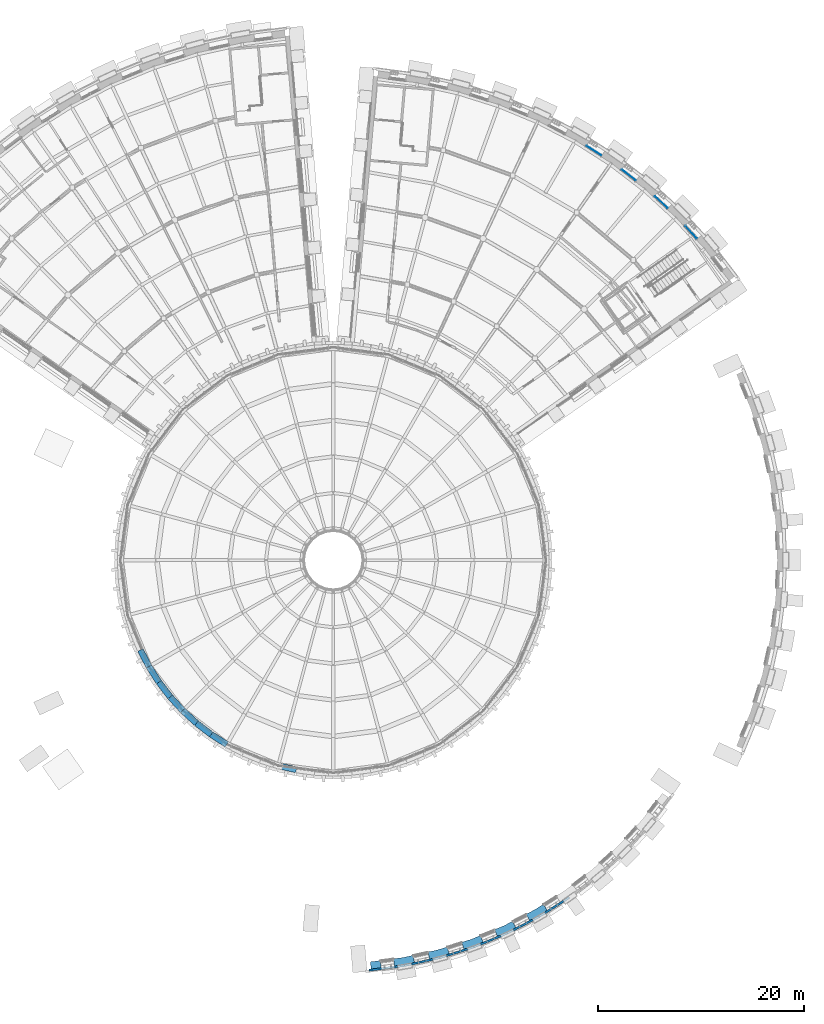
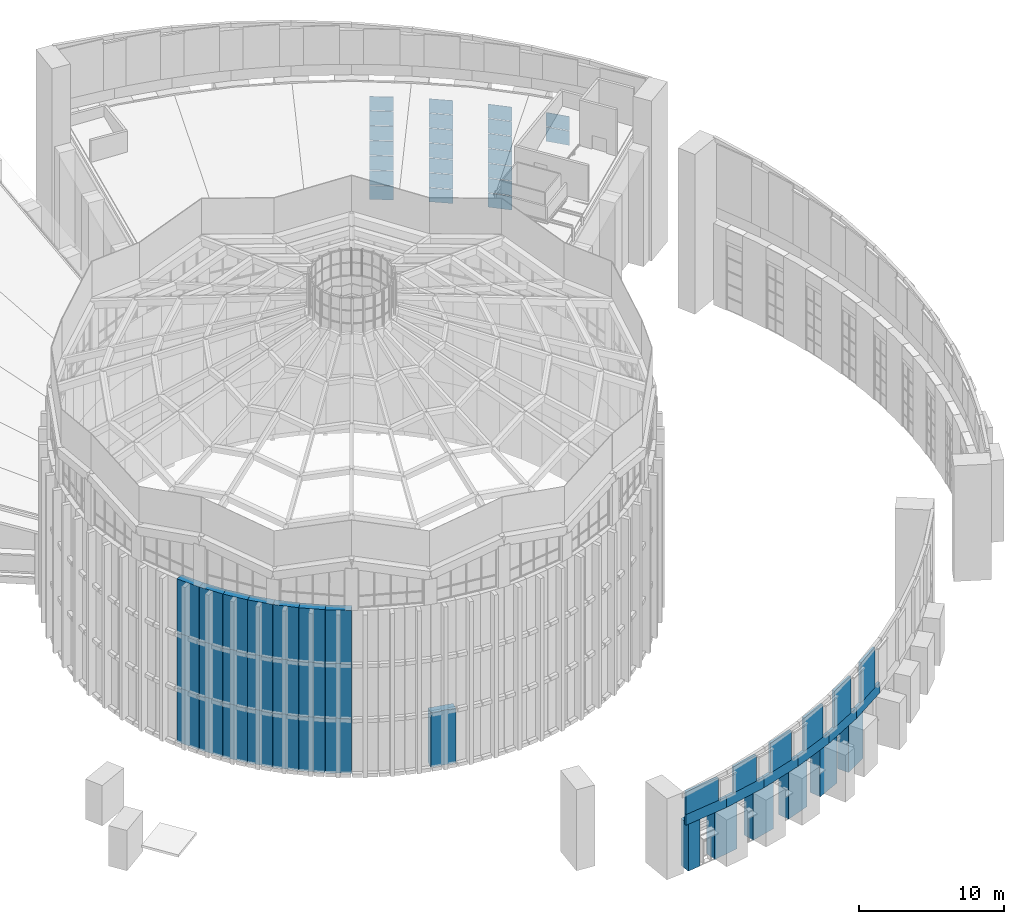
# One storey, part 51 of 82: 40 walls, 23 plates, 4 elements without a shape of their own.
"""IFC4 building model written with IfcOpenShell, lengths in metres."""

from ifc_helpers import new_model, si_unit, direction, frame, frame_2d, origin, origin_2d, place, context, subcontext, project, spatial, polyline, rectangle, outline, extrude, material, layer, layer_set, type_object, element, aggregate, save


model = new_model("IFC4")

# Units and contexts
model_context = context("Model", 3, precision=1e-05, world=origin(), true_north=direction((0.0, 1.0)))
body_context = subcontext(model_context, "Body", "Model", "MODEL_VIEW")
ifc_project = project(units=[si_unit("LENGTHUNIT", "METRE"), si_unit("AREAUNIT", "SQUARE_METRE"), si_unit("VOLUMEUNIT", "CUBIC_METRE"), si_unit("PLANEANGLEUNIT", "RADIAN"), si_unit("MASSUNIT", "GRAM", prefix="KILO")], contexts=[model_context])

# Site, building, storey
site_placement = place(None, origin())
site = spatial("IfcSite", under=ifc_project, at=site_placement, CompositionType="ELEMENT")
building_placement = place(site_placement, origin())
building = spatial("IfcBuilding", under=site, at=building_placement, Name="Volute Hill Aquarium", CompositionType="ELEMENT")
storey_placement = place(building_placement, frame((0.0, 0.0, 13.800048828125)))
storey = spatial("IfcBuildingStorey", under=building, at=storey_placement, Name="L04", CompositionType="ELEMENT", Elevation=13.800048828125)

# Curtain wall, plates
ifc_material_1 = material(Name="Aluminium", Category="aluminium")
ifc_layer_1 = layer(ifc_material_1, 0.25)
ifc_layer_set_1 = layer_set([ifc_layer_1], Name="Curtain wall niche S5 module 1786")
curtain_wall_type = type_object("IfcCurtainWallType", Name="Curtain wall niche S5 module 1786", PredefinedType="NOTDEFINED", material=ifc_layer_set_1)
curtain_wall_1_placement = place(storey_placement, origin())
curtain_wall_1 = element("IfcCurtainWall", 1, at=curtain_wall_1_placement, inside=storey, type_object=curtain_wall_type, Name="Curtain wall CW S5 L04 2", PredefinedType="NOTDEFINED")
ifc_material_2 = material(Name="Glass, low-iron laminated", Category="glass")
ifc_layer_2 = layer(ifc_material_2, 0.0439453125)
ifc_layer_set_2 = layer_set([ifc_layer_2], Name="Curtain wall glass panel S5 44")
plate_type = type_object("IfcPlateType", Name="Curtain wall glass panel S5 44", PredefinedType="CURTAIN_PANEL", material=ifc_layer_set_2)
plate_1_placement = place(storey_placement, frame((34.8212890625, 31.907958984375, 6.74853515625), z_axis=(0.0, 0.0, 1.0), x_axis=(-0.675584631529, 0.737282446313, 0.0)))
plate_1 = element("IfcPlate", 2, at=plate_1_placement, type_object=plate_type, Name="CW panel 1.6", PredefinedType="CURTAIN_PANEL", context=body_context, shape_type="SweptSolid", body=[
    extrude(rectangle(XDim=1.66552734375, YDim=0.0439453125, at=origin_2d()), origin(), (0.0, 0.0, 1.0), 1.193603515625),
])
plate_2_placement = place(storey_placement, frame((34.8212890625, 31.907958984375, 8.001953125), z_axis=(0.0, 0.0, 1.0), x_axis=(-0.675584631529, 0.737282446313, 0.0)))
plate_2 = element("IfcPlate", 3, at=plate_2_placement, type_object=plate_type, Name="CW panel 1.7", PredefinedType="CURTAIN_PANEL", context=body_context, shape_type="SweptSolid", body=[
    extrude(rectangle(XDim=1.66552734375, YDim=0.0439453125, at=origin_2d()), origin(), (0.0, 0.0, 1.0), 1.163818359375),
])
aggregate(curtain_wall_1, [plate_1, plate_2])

curtain_wall_2_placement = place(storey_placement, origin())
curtain_wall_2 = element("IfcCurtainWall", 4, at=curtain_wall_2_placement, inside=storey, type_object=curtain_wall_type, Name="Curtain wall CW S5 L04 3", PredefinedType="NOTDEFINED")
plate_3_placement = place(storey_placement, frame((31.907958984375, 34.821533203125, 0.509765625), z_axis=(0.0, 0.0, 1.0), x_axis=(-0.737282446313, 0.675584631529, 0.0)))
plate_3 = element("IfcPlate", 5, at=plate_3_placement, type_object=plate_type, Name="CW panel 1.1", PredefinedType="CURTAIN_PANEL", context=body_context, shape_type="SweptSolid", body=[
    extrude(rectangle(XDim=1.66552734375, YDim=0.0439453125, at=origin_2d()), origin(), (0.0, 0.0, 1.0), 1.163818359375),
])
plate_4_placement = place(storey_placement, frame((31.907958984375, 34.821533203125, 1.73388671875), z_axis=(0.0, 0.0, 1.0), x_axis=(-0.737282446313, 0.675584631529, 0.0)))
plate_4 = element("IfcPlate", 6, at=plate_4_placement, type_object=plate_type, Name="CW panel 1.2", PredefinedType="CURTAIN_PANEL", context=body_context, shape_type="SweptSolid", body=[
    extrude(rectangle(XDim=1.66552734375, YDim=0.0439453125, at=origin_2d()), origin(), (0.0, 0.0, 1.0), 1.193603515625),
])
plate_5_placement = place(storey_placement, frame((31.907958984375, 34.821533203125, 2.9873046875), z_axis=(0.0, 0.0, 1.0), x_axis=(-0.737282446313, 0.675584631529, 0.0)))
plate_5 = element("IfcPlate", 7, at=plate_5_placement, type_object=plate_type, Name="CW panel 1.3", PredefinedType="CURTAIN_PANEL", context=body_context, shape_type="SweptSolid", body=[
    extrude(rectangle(XDim=1.66552734375, YDim=0.0439453125, at=origin_2d()), origin(), (0.0, 0.0, 1.0), 1.193603515625),
])
plate_6_placement = place(storey_placement, frame((31.907958984375, 34.821533203125, 4.2412109375), z_axis=(0.0, 0.0, 1.0), x_axis=(-0.737282446313, 0.675584631529, 0.0)))
plate_6 = element("IfcPlate", 8, at=plate_6_placement, type_object=plate_type, Name="CW panel 1.4", PredefinedType="CURTAIN_PANEL", context=body_context, shape_type="SweptSolid", body=[
    extrude(rectangle(XDim=1.66552734375, YDim=0.0439453125, at=origin_2d()), origin(), (0.0, 0.0, 1.0), 1.193603515625),
])
plate_7_placement = place(storey_placement, frame((31.907958984375, 34.821533203125, 5.49462890625), z_axis=(0.0, 0.0, 1.0), x_axis=(-0.737282446313, 0.675584631529, 0.0)))
plate_7 = element("IfcPlate", 9, at=plate_7_placement, type_object=plate_type, Name="CW panel 1.5", PredefinedType="CURTAIN_PANEL", context=body_context, shape_type="SweptSolid", body=[
    extrude(rectangle(XDim=1.66552734375, YDim=0.0439453125, at=origin_2d()), origin(), (0.0, 0.0, 1.0), 1.193603515625),
])
plate_8_placement = place(storey_placement, frame((31.907958984375, 34.821533203125, 6.74853515625), z_axis=(0.0, 0.0, 1.0), x_axis=(-0.737282446313, 0.675584631529, 0.0)))
plate_8 = element("IfcPlate", 10, at=plate_8_placement, type_object=plate_type, Name="CW panel 1.6", PredefinedType="CURTAIN_PANEL", context=body_context, shape_type="SweptSolid", body=[
    extrude(rectangle(XDim=1.66552734375, YDim=0.0439453125, at=origin_2d()), origin(), (0.0, 0.0, 1.0), 1.193603515625),
])
plate_9_placement = place(storey_placement, frame((31.907958984375, 34.821533203125, 8.001953125), z_axis=(0.0, 0.0, 1.0), x_axis=(-0.737282446313, 0.675584631529, 0.0)))
plate_9 = element("IfcPlate", 11, at=plate_9_placement, type_object=plate_type, Name="CW panel 1.7", PredefinedType="CURTAIN_PANEL", context=body_context, shape_type="SweptSolid", body=[
    extrude(rectangle(XDim=1.66552734375, YDim=0.0439453125, at=origin_2d()), origin(), (0.0, 0.0, 1.0), 1.163818359375),
])
aggregate(curtain_wall_2, [plate_3, plate_4, plate_5, plate_6, plate_7, plate_8, plate_9])

curtain_wall_3_placement = place(storey_placement, origin())
curtain_wall_3 = element("IfcCurtainWall", 12, at=curtain_wall_3_placement, inside=storey, type_object=curtain_wall_type, Name="Curtain wall CW S5 L04 4", PredefinedType="NOTDEFINED")
plate_10_placement = place(storey_placement, frame((28.751708984375, 37.4697265625, 0.509765625), z_axis=(0.0, 0.0, 1.0), x_axis=(-0.793358325379, 0.608754932261, 0.0)))
plate_10 = element("IfcPlate", 13, at=plate_10_placement, type_object=plate_type, Name="CW panel 1.1", PredefinedType="CURTAIN_PANEL", context=body_context, shape_type="SweptSolid", body=[
    extrude(rectangle(XDim=1.66552734375, YDim=0.0439453125, at=origin_2d()), origin(), (0.0, 0.0, 1.0), 1.163818359375),
])
plate_11_placement = place(storey_placement, frame((28.751708984375, 37.4697265625, 1.73388671875), z_axis=(0.0, 0.0, 1.0), x_axis=(-0.793358325379, 0.608754932261, 0.0)))
plate_11 = element("IfcPlate", 14, at=plate_11_placement, type_object=plate_type, Name="CW panel 1.2", PredefinedType="CURTAIN_PANEL", context=body_context, shape_type="SweptSolid", body=[
    extrude(rectangle(XDim=1.66552734375, YDim=0.0439453125, at=origin_2d()), origin(), (0.0, 0.0, 1.0), 1.193603515625),
])
plate_12_placement = place(storey_placement, frame((28.751708984375, 37.4697265625, 2.9873046875), z_axis=(0.0, 0.0, 1.0), x_axis=(-0.793358325379, 0.608754932261, 0.0)))
plate_12 = element("IfcPlate", 15, at=plate_12_placement, type_object=plate_type, Name="CW panel 1.3", PredefinedType="CURTAIN_PANEL", context=body_context, shape_type="SweptSolid", body=[
    extrude(rectangle(XDim=1.66552734375, YDim=0.0439453125, at=origin_2d()), origin(), (0.0, 0.0, 1.0), 1.193603515625),
])
plate_13_placement = place(storey_placement, frame((28.751708984375, 37.4697265625, 4.2412109375), z_axis=(0.0, 0.0, 1.0), x_axis=(-0.793358325379, 0.608754932261, 0.0)))
plate_13 = element("IfcPlate", 16, at=plate_13_placement, type_object=plate_type, Name="CW panel 1.4", PredefinedType="CURTAIN_PANEL", context=body_context, shape_type="SweptSolid", body=[
    extrude(rectangle(XDim=1.66552734375, YDim=0.0439453125, at=origin_2d()), origin(), (0.0, 0.0, 1.0), 1.193603515625),
])
plate_14_placement = place(storey_placement, frame((28.751708984375, 37.4697265625, 5.49462890625), z_axis=(0.0, 0.0, 1.0), x_axis=(-0.793358325379, 0.608754932261, 0.0)))
plate_14 = element("IfcPlate", 17, at=plate_14_placement, type_object=plate_type, Name="CW panel 1.5", PredefinedType="CURTAIN_PANEL", context=body_context, shape_type="SweptSolid", body=[
    extrude(rectangle(XDim=1.66552734375, YDim=0.0439453125, at=origin_2d()), origin(), (0.0, 0.0, 1.0), 1.193603515625),
])
plate_15_placement = place(storey_placement, frame((28.751708984375, 37.4697265625, 6.74853515625), z_axis=(0.0, 0.0, 1.0), x_axis=(-0.793358325379, 0.608754932261, 0.0)))
plate_15 = element("IfcPlate", 18, at=plate_15_placement, type_object=plate_type, Name="CW panel 1.6", PredefinedType="CURTAIN_PANEL", context=body_context, shape_type="SweptSolid", body=[
    extrude(rectangle(XDim=1.66552734375, YDim=0.0439453125, at=origin_2d()), origin(), (0.0, 0.0, 1.0), 1.193603515625),
])
plate_16_placement = place(storey_placement, frame((28.751708984375, 37.4697265625, 8.001953125), z_axis=(0.0, 0.0, 1.0), x_axis=(-0.793358325379, 0.608754932261, 0.0)))
plate_16 = element("IfcPlate", 19, at=plate_16_placement, type_object=plate_type, Name="CW panel 1.7", PredefinedType="CURTAIN_PANEL", context=body_context, shape_type="SweptSolid", body=[
    extrude(rectangle(XDim=1.66552734375, YDim=0.0439453125, at=origin_2d()), origin(), (0.0, 0.0, 1.0), 1.163818359375),
])
aggregate(curtain_wall_3, [plate_10, plate_11, plate_12, plate_13, plate_14, plate_15, plate_16])

curtain_wall_4_placement = place(storey_placement, origin())
curtain_wall_4 = element("IfcCurtainWall", 20, at=curtain_wall_4_placement, inside=storey, type_object=curtain_wall_type, Name="Curtain wall CW S5 L04 5", PredefinedType="NOTDEFINED")
plate_17_placement = place(storey_placement, frame((25.37646484375, 39.8330078125, 0.509765625), z_axis=(0.0, 0.0, 1.0), x_axis=(-0.843385119444, 0.537309538629, 0.0)))
plate_17 = element("IfcPlate", 21, at=plate_17_placement, type_object=plate_type, Name="CW panel 1.1", PredefinedType="CURTAIN_PANEL", context=body_context, shape_type="SweptSolid", body=[
    extrude(rectangle(XDim=1.66552734375, YDim=0.0439453125, at=origin_2d()), origin(), (0.0, 0.0, 1.0), 1.163818359375),
])
plate_18_placement = place(storey_placement, frame((25.37646484375, 39.8330078125, 1.73388671875), z_axis=(0.0, 0.0, 1.0), x_axis=(-0.843385119444, 0.537309538629, 0.0)))
plate_18 = element("IfcPlate", 22, at=plate_18_placement, type_object=plate_type, Name="CW panel 1.2", PredefinedType="CURTAIN_PANEL", context=body_context, shape_type="SweptSolid", body=[
    extrude(rectangle(XDim=1.66552734375, YDim=0.0439453125, at=origin_2d()), origin(), (0.0, 0.0, 1.0), 1.193603515625),
])
plate_19_placement = place(storey_placement, frame((25.37646484375, 39.8330078125, 2.9873046875), z_axis=(0.0, 0.0, 1.0), x_axis=(-0.843385119444, 0.537309538629, 0.0)))
plate_19 = element("IfcPlate", 23, at=plate_19_placement, type_object=plate_type, Name="CW panel 1.3", PredefinedType="CURTAIN_PANEL", context=body_context, shape_type="SweptSolid", body=[
    extrude(rectangle(XDim=1.66552734375, YDim=0.0439453125, at=origin_2d()), origin(), (0.0, 0.0, 1.0), 1.193603515625),
])
plate_20_placement = place(storey_placement, frame((25.37646484375, 39.8330078125, 4.2412109375), z_axis=(0.0, 0.0, 1.0), x_axis=(-0.843385119444, 0.537309538629, 0.0)))
plate_20 = element("IfcPlate", 24, at=plate_20_placement, type_object=plate_type, Name="CW panel 1.4", PredefinedType="CURTAIN_PANEL", context=body_context, shape_type="SweptSolid", body=[
    extrude(rectangle(XDim=1.66552734375, YDim=0.0439453125, at=origin_2d()), origin(), (0.0, 0.0, 1.0), 1.193603515625),
])
plate_21_placement = place(storey_placement, frame((25.37646484375, 39.8330078125, 5.49462890625), z_axis=(0.0, 0.0, 1.0), x_axis=(-0.843385119444, 0.537309538629, 0.0)))
plate_21 = element("IfcPlate", 25, at=plate_21_placement, type_object=plate_type, Name="CW panel 1.5", PredefinedType="CURTAIN_PANEL", context=body_context, shape_type="SweptSolid", body=[
    extrude(rectangle(XDim=1.66552734375, YDim=0.0439453125, at=origin_2d()), origin(), (0.0, 0.0, 1.0), 1.193603515625),
])
plate_22_placement = place(storey_placement, frame((25.37646484375, 39.8330078125, 6.74853515625), z_axis=(0.0, 0.0, 1.0), x_axis=(-0.843385119444, 0.537309538629, 0.0)))
plate_22 = element("IfcPlate", 26, at=plate_22_placement, type_object=plate_type, Name="CW panel 1.6", PredefinedType="CURTAIN_PANEL", context=body_context, shape_type="SweptSolid", body=[
    extrude(rectangle(XDim=1.66552734375, YDim=0.0439453125, at=origin_2d()), origin(), (0.0, 0.0, 1.0), 1.193603515625),
])
plate_23_placement = place(storey_placement, frame((25.37646484375, 39.8330078125, 8.001953125), z_axis=(0.0, 0.0, 1.0), x_axis=(-0.843385119444, 0.537309538629, 0.0)))
plate_23 = element("IfcPlate", 27, at=plate_23_placement, type_object=plate_type, Name="CW panel 1.7", PredefinedType="CURTAIN_PANEL", context=body_context, shape_type="SweptSolid", body=[
    extrude(rectangle(XDim=1.66552734375, YDim=0.0439453125, at=origin_2d()), origin(), (0.0, 0.0, 1.0), 1.163818359375),
])
aggregate(curtain_wall_4, [plate_17, plate_18, plate_19, plate_20, plate_21, plate_22, plate_23])

# Walls
ifc_material_3 = material(Name="Precast concrete C40/50", Category="concrete")
ifc_layer_3 = layer(ifc_material_3, 0.199951171875)
ifc_layer_set_3 = layer_set([ifc_layer_3], Name="Crown screen wall precast concrete C40/50 200")
wall_type_1 = type_object("IfcWallType", Name="Crown screen wall precast concrete C40/50 200", PredefinedType="NOTDEFINED", material=ifc_layer_set_3)
wall_1_placement = place(storey_placement, frame((0.0, 0.0, 4.841796875)))
element("IfcWall", 28, at=wall_1_placement, inside=storey, type_object=wall_type_1, Name="Crown screen wall CSW S3 1", PredefinedType="NOTDEFINED", context=body_context, shape_type="SweptSolid", body=[
    extrude(outline(polyline([(3.499267578125, -39.99755859375), (6.286376953125, -39.630859375), (6.251708984375, -39.43359375), (3.48193359375, -39.798095703125), (3.499267578125, -39.99755859375)])), origin(), (0.0, 0.0, 1.0), 1.912109375),
])
wall_2_placement = place(storey_placement, frame((0.0, 0.0, 4.841796875)))
element("IfcWall", 29, at=wall_2_placement, inside=storey, type_object=wall_type_1, Name="Crown screen wall CSW S3 2", PredefinedType="NOTDEFINED", context=body_context, shape_type="SweptSolid", body=[
    extrude(outline(polyline([(7.647216796875, -39.390869140625), (9.716552734375, -38.93212890625), (9.664794921875, -38.73876953125), (7.612548828125, -39.193603515625), (7.647216796875, -39.390869140625)])), origin(), (0.0, 0.0, 1.0), 2.203857421875),
])
wall_3_placement = place(storey_placement, frame((0.0, 0.0, 4.841796875)))
element("IfcWall", 30, at=wall_3_placement, inside=storey, type_object=wall_type_1, Name="Crown screen wall CSW S3 3", PredefinedType="NOTDEFINED", context=body_context, shape_type="SweptSolid", body=[
    extrude(outline(polyline([(11.05126953125, -38.574462890625), (13.07275390625, -37.93701171875), (13.004150390625, -37.7490234375), (10.99951171875, -38.381103515625), (11.05126953125, -38.574462890625)])), origin(), (0.0, 0.0, 1.0), 2.495849609375),
])
wall_4_placement = place(storey_placement, frame((0.0, 0.0, 4.841796875)))
element("IfcWall", 31, at=wall_4_placement, inside=storey, type_object=wall_type_1, Name="Crown screen wall CSW S3 4", PredefinedType="NOTDEFINED", context=body_context, shape_type="SweptSolid", body=[
    extrude(outline(polyline([(14.37109375, -37.46435546875), (16.329345703125, -36.6533203125), (16.24462890625, -36.471923828125), (14.302734375, -37.2763671875), (14.37109375, -37.46435546875)])), origin(), (0.0, 0.0, 1.0), 2.787841796875),
])
wall_5_placement = place(storey_placement, frame((0.0, 0.0, 4.841796875)))
element("IfcWall", 32, at=wall_5_placement, inside=storey, type_object=wall_type_1, Name="Crown screen wall CSW S3 5", PredefinedType="NOTDEFINED", context=body_context, shape_type="SweptSolid", body=[
    extrude(outline(polyline([(17.581787109375, -36.0693359375), (19.461669921875, -35.090576171875), (19.361572265625, -34.917236328125), (17.4970703125, -35.887939453125), (17.581787109375, -36.0693359375)])), origin(), (0.0, 0.0, 1.0), 3.079833984375),
])
wall_6_placement = place(storey_placement, frame((0.0, 0.0, 4.841796875)))
element("IfcWall", 33, at=wall_6_placement, inside=storey, type_object=wall_type_1, Name="Crown screen wall CSW S3 6", PredefinedType="NOTDEFINED", context=body_context, shape_type="SweptSolid", body=[
    extrude(outline(polyline([(20.658447265625, -34.399658203125), (22.446044921875, -33.260986328125), (22.331298828125, -33.096923828125), (20.558349609375, -34.226318359375), (20.658447265625, -34.399658203125)])), origin(), (0.0, 0.0, 1.0), 3.37158203125),
])
ifc_material_4 = material(Name="Concrete C35/45", Category="concrete")
ifc_layer_4 = layer(ifc_material_4, 0.60009765625)
ifc_layer_set_4 = layer_set([ifc_layer_4], Name="Drum wall C35/45 600")
wall_type_2 = type_object("IfcWallType", Name="Drum wall C35/45 600", PredefinedType="SHEAR", material=ifc_layer_set_4)
wall_7_placement = place(storey_placement, frame((-18.760498046875, -8.748291015625, 0.0), z_axis=(0.0, 0.0, 1.0), x_axis=(0.461701764231, -0.887035219654, 0.0)))
element("IfcWall", 34, at=wall_7_placement, inside=storey, type_object=wall_type_2, Name="sw/DR/L04/41", PredefinedType="SHEAR", context=body_context, shape_type="SweptSolid", body=[
    extrude(rectangle(XDim=1.805908203125, YDim=0.60009765625, at=frame_2d((0.90283203125, 0.0))), origin(), (0.0, 0.0, 1.0), 4.599853515625),
])
wall_8_placement = place(storey_placement, frame((-18.760498046875, -8.748291015625, 4.599853515625), z_axis=(0.0, 0.0, 1.0), x_axis=(0.461701764231, -0.887035219654, 0.0)))
element("IfcWall", 35, at=wall_8_placement, inside=storey, type_object=wall_type_2, Name="sw/DR/L04/113", PredefinedType="SHEAR", context=body_context, shape_type="SweptSolid", body=[
    extrude(rectangle(XDim=1.805908203125, YDim=0.60009765625, at=frame_2d((0.90283203125, 0.0))), origin(), (0.0, 0.0, 1.0), 4.60009765625),
])
wall_9_placement = place(storey_placement, frame((-18.760498046875, -8.748291015625, 9.199951171875), z_axis=(0.0, 0.0, 1.0), x_axis=(0.461701764231, -0.887035219654, 0.0)))
element("IfcWall", 36, at=wall_9_placement, inside=storey, type_object=wall_type_2, Name="sw/DR/L04/185", PredefinedType="SHEAR", context=body_context, shape_type="SweptSolid", body=[
    extrude(rectangle(XDim=1.805908203125, YDim=0.60009765625, at=frame_2d((0.90283203125, 0.0))), origin(), (0.0, 0.0, 1.0), 4.5),
])
wall_10_placement = place(storey_placement, frame((-17.9267578125, -10.35009765625, 0.0), z_axis=(0.0, 0.0, 1.0), x_axis=(0.537391510251, -0.843332890803, 0.0)))
element("IfcWall", 37, at=wall_10_placement, inside=storey, type_object=wall_type_2, Name="sw/DR/L04/42", PredefinedType="SHEAR", context=body_context, shape_type="SweptSolid", body=[
    extrude(rectangle(XDim=1.805908203125, YDim=0.60009765625, at=frame_2d((0.90283203125, 0.0))), origin(), (0.0, 0.0, 1.0), 4.599853515625),
])
wall_11_placement = place(storey_placement, frame((-17.9267578125, -10.35009765625, 4.599853515625), z_axis=(0.0, 0.0, 1.0), x_axis=(0.537391510251, -0.843332890803, 0.0)))
element("IfcWall", 38, at=wall_11_placement, inside=storey, type_object=wall_type_2, Name="sw/DR/L04/114", PredefinedType="SHEAR", context=body_context, shape_type="SweptSolid", body=[
    extrude(rectangle(XDim=1.805908203125, YDim=0.60009765625, at=frame_2d((0.90283203125, 0.0))), origin(), (0.0, 0.0, 1.0), 4.60009765625),
])
wall_12_placement = place(storey_placement, frame((-17.9267578125, -10.35009765625, 9.199951171875), z_axis=(0.0, 0.0, 1.0), x_axis=(0.537391510251, -0.843332890803, 0.0)))
element("IfcWall", 39, at=wall_12_placement, inside=storey, type_object=wall_type_2, Name="sw/DR/L04/186", PredefinedType="SHEAR", context=body_context, shape_type="SweptSolid", body=[
    extrude(rectangle(XDim=1.805908203125, YDim=0.60009765625, at=frame_2d((0.90283203125, 0.0))), origin(), (0.0, 0.0, 1.0), 4.5),
])
wall_13_placement = place(storey_placement, frame((-16.956298828125, -11.873046875, 0.0), z_axis=(0.0, 0.0, 1.0), x_axis=(0.608704004289, -0.793397400526, 0.0)))
element("IfcWall", 40, at=wall_13_placement, inside=storey, type_object=wall_type_2, Name="sw/DR/L04/43", PredefinedType="SHEAR", context=body_context, shape_type="SweptSolid", body=[
    extrude(rectangle(XDim=1.8056640625, YDim=0.60009765625, at=frame_2d((0.90283203125, 0.0))), origin(), (0.0, 0.0, 1.0), 4.599853515625),
])
wall_14_placement = place(storey_placement, frame((-16.956298828125, -11.873046875, 4.599853515625), z_axis=(0.0, 0.0, 1.0), x_axis=(0.608704004289, -0.793397400526, 0.0)))
element("IfcWall", 41, at=wall_14_placement, inside=storey, type_object=wall_type_2, Name="sw/DR/L04/115", PredefinedType="SHEAR", context=body_context, shape_type="SweptSolid", body=[
    extrude(rectangle(XDim=1.8056640625, YDim=0.60009765625, at=frame_2d((0.90283203125, 0.0))), origin(), (0.0, 0.0, 1.0), 4.60009765625),
])
wall_15_placement = place(storey_placement, frame((-16.956298828125, -11.873046875, 9.199951171875), z_axis=(0.0, 0.0, 1.0), x_axis=(0.608704004289, -0.793397400526, 0.0)))
element("IfcWall", 42, at=wall_15_placement, inside=storey, type_object=wall_type_2, Name="sw/DR/L04/187", PredefinedType="SHEAR", context=body_context, shape_type="SweptSolid", body=[
    extrude(rectangle(XDim=1.8056640625, YDim=0.60009765625, at=frame_2d((0.90283203125, 0.0))), origin(), (0.0, 0.0, 1.0), 4.5),
])
wall_16_placement = place(storey_placement, frame((-15.857177734375, -13.3056640625, 0.0), z_axis=(0.0, 0.0, 1.0), x_axis=(0.675540954152, -0.737322466268, 0.0)))
element("IfcWall", 43, at=wall_16_placement, inside=storey, type_object=wall_type_2, Name="sw/DR/L04/44", PredefinedType="SHEAR", context=body_context, shape_type="SweptSolid", body=[
    extrude(rectangle(XDim=1.805908203125, YDim=0.60009765625, at=frame_2d((0.90283203125, 0.0))), origin(), (0.0, 0.0, 1.0), 4.599853515625),
])
wall_17_placement = place(storey_placement, frame((-15.857177734375, -13.3056640625, 4.599853515625), z_axis=(0.0, 0.0, 1.0), x_axis=(0.675540954152, -0.737322466268, 0.0)))
element("IfcWall", 44, at=wall_17_placement, inside=storey, type_object=wall_type_2, Name="sw/DR/L04/116", PredefinedType="SHEAR", context=body_context, shape_type="SweptSolid", body=[
    extrude(rectangle(XDim=1.805908203125, YDim=0.60009765625, at=frame_2d((0.90283203125, 0.0))), origin(), (0.0, 0.0, 1.0), 4.60009765625),
])
wall_18_placement = place(storey_placement, frame((-15.857177734375, -13.3056640625, 9.199951171875), z_axis=(0.0, 0.0, 1.0), x_axis=(0.675540954152, -0.737322466268, 0.0)))
element("IfcWall", 45, at=wall_18_placement, inside=storey, type_object=wall_type_2, Name="sw/DR/L04/188", PredefinedType="SHEAR", context=body_context, shape_type="SweptSolid", body=[
    extrude(rectangle(XDim=1.805908203125, YDim=0.60009765625, at=frame_2d((0.90283203125, 0.0))), origin(), (0.0, 0.0, 1.0), 4.5),
])
wall_19_placement = place(storey_placement, frame((-14.63720703125, -14.63720703125, 0.0), z_axis=(0.0, 0.0, 1.0), x_axis=(0.737322466268, -0.675540954152, 0.0)))
element("IfcWall", 46, at=wall_19_placement, inside=storey, type_object=wall_type_2, Name="sw/DR/L04/45", PredefinedType="SHEAR", context=body_context, shape_type="SweptSolid", body=[
    extrude(rectangle(XDim=1.805908203125, YDim=0.60009765625, at=frame_2d((0.90283203125, 0.0))), origin(), (0.0, 0.0, 1.0), 4.599853515625),
])
wall_20_placement = place(storey_placement, frame((-14.63720703125, -14.63720703125, 4.599853515625), z_axis=(0.0, 0.0, 1.0), x_axis=(0.737322466268, -0.675540954152, 0.0)))
element("IfcWall", 47, at=wall_20_placement, inside=storey, type_object=wall_type_2, Name="sw/DR/L04/117", PredefinedType="SHEAR", context=body_context, shape_type="SweptSolid", body=[
    extrude(rectangle(XDim=1.805908203125, YDim=0.60009765625, at=frame_2d((0.90283203125, 0.0))), origin(), (0.0, 0.0, 1.0), 4.60009765625),
])
wall_21_placement = place(storey_placement, frame((-14.63720703125, -14.63720703125, 9.199951171875), z_axis=(0.0, 0.0, 1.0), x_axis=(0.737322466268, -0.675540954152, 0.0)))
element("IfcWall", 48, at=wall_21_placement, inside=storey, type_object=wall_type_2, Name="sw/DR/L04/189", PredefinedType="SHEAR", context=body_context, shape_type="SweptSolid", body=[
    extrude(rectangle(XDim=1.805908203125, YDim=0.60009765625, at=frame_2d((0.90283203125, 0.0))), origin(), (0.0, 0.0, 1.0), 4.5),
])
wall_22_placement = place(storey_placement, frame((-13.3056640625, -15.857177734375, 0.0), z_axis=(0.0, 0.0, 1.0), x_axis=(0.793397400526, -0.608704004289, 0.0)))
element("IfcWall", 49, at=wall_22_placement, inside=storey, type_object=wall_type_2, Name="sw/DR/L04/46", PredefinedType="SHEAR", context=body_context, shape_type="SweptSolid", body=[
    extrude(rectangle(XDim=1.8056640625, YDim=0.60009765625, at=frame_2d((0.90283203125, 0.0))), origin(), (0.0, 0.0, 1.0), 4.599853515625),
])
wall_23_placement = place(storey_placement, frame((-13.3056640625, -15.857177734375, 4.599853515625), z_axis=(0.0, 0.0, 1.0), x_axis=(0.793397400526, -0.608704004289, 0.0)))
element("IfcWall", 50, at=wall_23_placement, inside=storey, type_object=wall_type_2, Name="sw/DR/L04/118", PredefinedType="SHEAR", context=body_context, shape_type="SweptSolid", body=[
    extrude(rectangle(XDim=1.8056640625, YDim=0.60009765625, at=frame_2d((0.90283203125, 0.0))), origin(), (0.0, 0.0, 1.0), 4.60009765625),
])
wall_24_placement = place(storey_placement, frame((-13.3056640625, -15.857177734375, 9.199951171875), z_axis=(0.0, 0.0, 1.0), x_axis=(0.793397400526, -0.608704004289, 0.0)))
element("IfcWall", 51, at=wall_24_placement, inside=storey, type_object=wall_type_2, Name="sw/DR/L04/190", PredefinedType="SHEAR", context=body_context, shape_type="SweptSolid", body=[
    extrude(rectangle(XDim=1.8056640625, YDim=0.60009765625, at=frame_2d((0.90283203125, 0.0))), origin(), (0.0, 0.0, 1.0), 4.5),
])
wall_25_placement = place(storey_placement, frame((-11.873046875, -16.956298828125, 0.0), z_axis=(0.0, 0.0, 1.0), x_axis=(0.843332890803, -0.537391510251, 0.0)))
element("IfcWall", 52, at=wall_25_placement, inside=storey, type_object=wall_type_2, Name="sw/DR/L04/47", PredefinedType="SHEAR", context=body_context, shape_type="SweptSolid", body=[
    extrude(rectangle(XDim=1.805908203125, YDim=0.60009765625, at=frame_2d((0.90283203125, 0.0))), origin(), (0.0, 0.0, 1.0), 4.599853515625),
])
wall_26_placement = place(storey_placement, frame((-11.873046875, -16.956298828125, 4.599853515625), z_axis=(0.0, 0.0, 1.0), x_axis=(0.843332890803, -0.537391510251, 0.0)))
element("IfcWall", 53, at=wall_26_placement, inside=storey, type_object=wall_type_2, Name="sw/DR/L04/119", PredefinedType="SHEAR", context=body_context, shape_type="SweptSolid", body=[
    extrude(rectangle(XDim=1.805908203125, YDim=0.60009765625, at=frame_2d((0.90283203125, 0.0))), origin(), (0.0, 0.0, 1.0), 4.60009765625),
])
wall_27_placement = place(storey_placement, frame((-11.873046875, -16.956298828125, 9.199951171875), z_axis=(0.0, 0.0, 1.0), x_axis=(0.843332890803, -0.537391510251, 0.0)))
element("IfcWall", 54, at=wall_27_placement, inside=storey, type_object=wall_type_2, Name="sw/DR/L04/191", PredefinedType="SHEAR", context=body_context, shape_type="SweptSolid", body=[
    extrude(rectangle(XDim=1.805908203125, YDim=0.60009765625, at=frame_2d((0.90283203125, 0.0))), origin(), (0.0, 0.0, 1.0), 4.5),
])
wall_28_placement = place(storey_placement, frame((-5.357666015625, -19.99462890625, 0.0), z_axis=(0.0, 0.0, 1.0), x_axis=(0.976298259567, -0.216429453554, 0.0)))
element("IfcWall", 55, at=wall_28_placement, inside=storey, type_object=wall_type_2, Name="sw/DR/L04/51", PredefinedType="SHEAR", context=body_context, shape_type="SweptSolid", body=[
    extrude(rectangle(XDim=1.805908203125, YDim=0.60009765625, at=frame_2d((0.90283203125, 0.0))), origin(), (0.0, 0.0, 1.0), 4.599853515625),
])
ifc_material_5 = material(Name="Precast concrete C40/50", Category="concrete")
ifc_layer_5 = layer(ifc_material_5, 0.89990234375)
ifc_layer_set_5 = layer_set([ifc_layer_5], Name="Outer pier precast concrete C40/50 900")
wall_type_3 = type_object("IfcWallType", Name="Outer pier precast concrete C40/50 900", PredefinedType="NOTDEFINED", material=ifc_layer_set_5)
wall_29_placement = place(storey_placement, origin())
element("IfcWall", 56, at=wall_29_placement, inside=storey, type_object=wall_type_3, Name="Outer pier OWP S3 L04 1", PredefinedType="NOTDEFINED", context=body_context, shape_type="SweptSolid", body=[
    extrude(outline(polyline([(3.619384765625, -39.073974609375), (3.69775390625, -39.971435546875), (4.69580078125, -39.840087890625), (4.578369140625, -38.94775390625), (3.619384765625, -39.073974609375)])), origin(), (0.0, 0.0, 1.0), 3.94189453125),
])
wall_30_placement = place(storey_placement, origin())
element("IfcWall", 57, at=wall_30_placement, inside=storey, type_object=wall_type_3, Name="Outer pier OWP S3 L04 2", PredefinedType="NOTDEFINED", context=body_context, shape_type="SweptSolid", body=[
    extrude(outline(polyline([(5.8564453125, -38.779541015625), (5.973876953125, -39.671875), (7.954833984375, -39.322509765625), (7.760009765625, -38.44384765625), (6.815673828125, -38.6533203125), (5.8564453125, -38.779541015625)])), origin(), (0.0, 0.0, 1.0), 3.94189453125),
])
wall_31_placement = place(storey_placement, origin())
element("IfcWall", 58, at=wall_31_placement, inside=storey, type_object=wall_type_3, Name="Outer pier OWP S3 L04 3", PredefinedType="NOTDEFINED", context=body_context, shape_type="SweptSolid", body=[
    extrude(outline(polyline([(9.2138671875, -38.12158203125), (9.40869140625, -39.000244140625), (11.351806640625, -38.479736328125), (11.0810546875, -37.621337890625), (10.158447265625, -37.912109375), (9.2138671875, -38.12158203125)])), origin(), (0.0, 0.0, 1.0), 3.94189453125),
])
wall_32_placement = place(storey_placement, origin())
element("IfcWall", 59, at=wall_32_placement, inside=storey, type_object=wall_type_3, Name="Outer pier OWP S3 L04 4", PredefinedType="NOTDEFINED", context=body_context, shape_type="SweptSolid", body=[
    extrude(outline(polyline([(12.50146484375, -37.173583984375), (12.77197265625, -38.03173828125), (14.662353515625, -37.34375), (14.31787109375, -36.51220703125), (13.424072265625, -36.882568359375), (12.50146484375, -37.173583984375)])), origin(), (0.0, 0.0, 1.0), 3.94189453125),
])
wall_33_placement = place(storey_placement, origin())
element("IfcWall", 60, at=wall_33_placement, inside=storey, type_object=wall_type_3, Name="Outer pier OWP S3 L04 5", PredefinedType="NOTDEFINED", context=body_context, shape_type="SweptSolid", body=[
    extrude(outline(polyline([(15.69384765625, -35.9423828125), (16.0380859375, -36.77392578125), (17.861328125, -35.923828125), (17.445556640625, -35.12548828125), (16.587646484375, -35.572265625), (15.69384765625, -35.9423828125)])), origin(), (0.0, 0.0, 1.0), 3.94189453125),
])
wall_34_placement = place(storey_placement, origin())
element("IfcWall", 61, at=wall_34_placement, inside=storey, type_object=wall_type_3, Name="Outer pier OWP S3 L04 6", PredefinedType="NOTDEFINED", context=body_context, shape_type="SweptSolid", body=[
    extrude(outline(polyline([(18.7666015625, -34.437744140625), (19.18212890625, -35.236083984375), (20.92431640625, -34.23046875), (20.440673828125, -33.471435546875), (19.624755859375, -33.9912109375), (18.7666015625, -34.437744140625)])), origin(), (0.0, 0.0, 1.0), 3.94189453125),
])
ifc_material_6 = material(Name="Precast concrete C40/50", Category="concrete")
ifc_layer_6 = layer(ifc_material_6, 0.199951171875)
ifc_layer_set_6 = layer_set([ifc_layer_6], Name="Roof edge parapet precast concrete C40/50 200")
wall_type_4 = type_object("IfcWallType", Name="Roof edge parapet precast concrete C40/50 200", PredefinedType="PARAPET", material=ifc_layer_set_6)
wall_35_placement = place(storey_placement, frame((0.0, 0.0, 3.94189453125)))
element("IfcWall", 62, at=wall_35_placement, inside=storey, type_object=wall_type_4, Name="Roof edge parapet PAR S3 1", PredefinedType="PARAPET", context=body_context, shape_type="SweptSolid", body=[
    extrude(outline(polyline([(6.971923828125, -39.54052734375), (6.937255859375, -39.34326171875), (3.48193359375, -39.798095703125), (3.499267578125, -39.99755859375), (6.971923828125, -39.54052734375)])), origin(), (0.0, 0.0, 1.0), 0.89990234375),
])
wall_36_placement = place(storey_placement, frame((0.0, 0.0, 3.94189453125)))
element("IfcWall", 63, at=wall_36_placement, inside=storey, type_object=wall_type_4, Name="Roof edge parapet PAR S3 2", PredefinedType="PARAPET", context=body_context, shape_type="SweptSolid", body=[
    extrude(outline(polyline([(6.937255859375, -39.34326171875), (6.971923828125, -39.54052734375), (10.3916015625, -38.782470703125), (10.33984375, -38.589111328125), (6.937255859375, -39.34326171875)])), origin(), (0.0, 0.0, 1.0), 0.89990234375),
])
wall_37_placement = place(storey_placement, frame((0.0, 0.0, 3.94189453125)))
element("IfcWall", 64, at=wall_37_placement, inside=storey, type_object=wall_type_4, Name="Roof edge parapet PAR S3 3", PredefinedType="PARAPET", context=body_context, shape_type="SweptSolid", body=[
    extrude(outline(polyline([(10.33984375, -38.589111328125), (10.3916015625, -38.782470703125), (13.732177734375, -37.72900390625), (13.66357421875, -37.541015625), (10.33984375, -38.589111328125)])), origin(), (0.0, 0.0, 1.0), 0.89990234375),
])
wall_38_placement = place(storey_placement, frame((0.0, 0.0, 3.94189453125)))
element("IfcWall", 65, at=wall_38_placement, inside=storey, type_object=wall_type_4, Name="Roof edge parapet PAR S3 4", PredefinedType="PARAPET", context=body_context, shape_type="SweptSolid", body=[
    extrude(outline(polyline([(13.663818359375, -37.541015625), (13.732177734375, -37.72900390625), (16.96826171875, -36.388671875), (16.883544921875, -36.207275390625), (13.663818359375, -37.541015625)])), origin(), (0.0, 0.0, 1.0), 0.89990234375),
])
wall_39_placement = place(storey_placement, frame((0.0, 0.0, 3.94189453125)))
element("IfcWall", 66, at=wall_39_placement, inside=storey, type_object=wall_type_4, Name="Roof edge parapet PAR S3 5", PredefinedType="PARAPET", context=body_context, shape_type="SweptSolid", body=[
    extrude(outline(polyline([(16.883544921875, -36.207275390625), (16.96826171875, -36.388671875), (20.0751953125, -34.771240234375), (19.97509765625, -34.597900390625), (16.883544921875, -36.207275390625)])), origin(), (0.0, 0.0, 1.0), 0.89990234375),
])
wall_40_placement = place(storey_placement, frame((0.0, 0.0, 3.94189453125)))
element("IfcWall", 67, at=wall_40_placement, inside=storey, type_object=wall_type_4, Name="Roof edge parapet PAR S3 6", PredefinedType="PARAPET", context=body_context, shape_type="SweptSolid", body=[
    extrude(outline(polyline([(19.97509765625, -34.597900390625), (20.0751953125, -34.771240234375), (23.029296875, -32.889404296875), (22.91455078125, -32.725341796875), (19.97509765625, -34.597900390625)])), origin(), (0.0, 0.0, 1.0), 0.89990234375),
])

save(model, "model.ifc")
